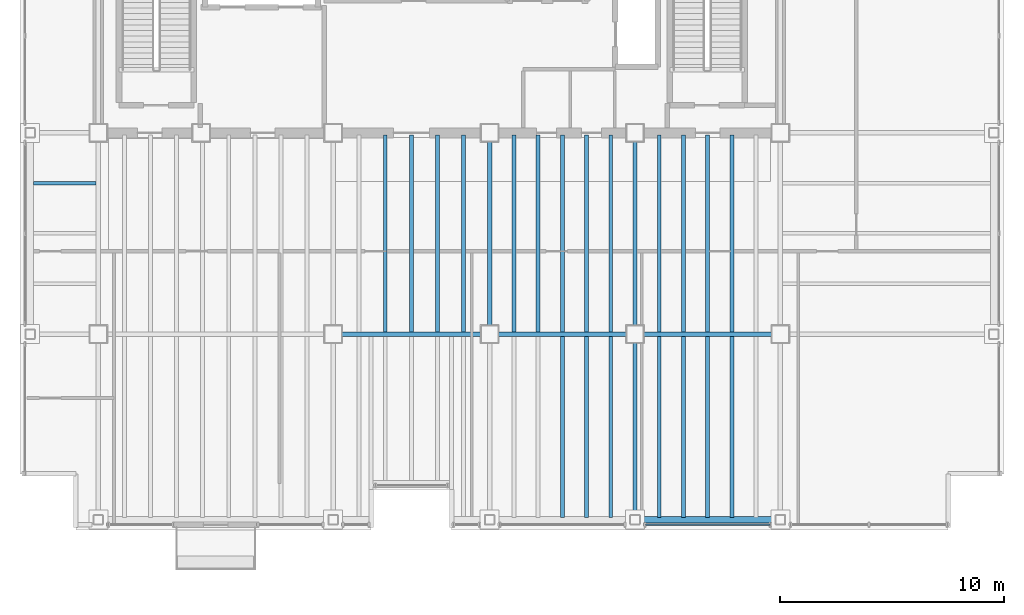
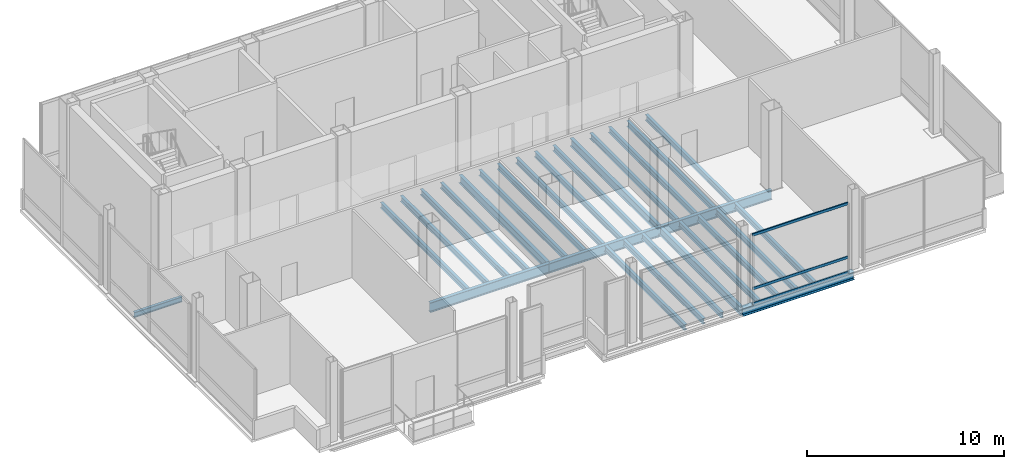
# One storey, part 5 of 15: 28 beams, 3 members, 1 element without a shape of its own.
"""IFC4 building model written with IfcOpenShell, lengths in metres."""

from ifc_helpers import new_model, si_unit, direction, frame, origin, origin_2d, place, context, subcontext, project, spatial, hollow_rectangle, i_section, extrude, material, material_profile, profile_set, type_object, element, aggregate, save


model = new_model("IFC4")

# Units and contexts
model_context = context("Model", 3, precision=1e-05, world=origin(), true_north=direction((0.0, 1.0)))
body_context = subcontext(model_context, "Body", "Model", "MODEL_VIEW")
ifc_project = project(units=[si_unit("LENGTHUNIT", "METRE"), si_unit("AREAUNIT", "SQUARE_METRE"), si_unit("VOLUMEUNIT", "CUBIC_METRE"), si_unit("PLANEANGLEUNIT", "RADIAN"), si_unit("MASSUNIT", "GRAM", prefix="KILO")], contexts=[model_context])

# Site, building, storey
site_placement = place(None, origin())
site = spatial("IfcSite", under=ifc_project, at=site_placement, CompositionType="ELEMENT")
building_placement = place(site_placement, origin())
building = spatial("IfcBuilding", under=site, at=building_placement, Name="Noeulbin Bourse Tower", CompositionType="ELEMENT")
storey_placement = place(building_placement, frame((0.0, 0.0, 206.10009765625)))
storey = spatial("IfcBuildingStorey", under=building, at=storey_placement, Name="L51", CompositionType="ELEMENT", Elevation=206.10009765625)

# Beams
ifc_material_1 = material(Name="Steel S355", Category="steel")
ifc_material_profile_1 = material_profile(ifc_material_1, i_section(OverallWidth=0.199951171875, OverallDepth=0.5, WebThickness=0.010009765625, FlangeThickness=0.01611328125, FilletRadius=0.02001953125, at=origin_2d()), Name="H-500x200x10x16", Category="LoadBearing")
ifc_profile_set_1 = profile_set([ifc_material_profile_1], Name="Steel S355")
beam_type_1 = type_object("IfcBeamType", Name="BM-GRD-500", PredefinedType="USERDEFINED", material=ifc_profile_set_1)
beam_1_placement = place(storey_placement, frame((31.0, 20.0, -0.43017578125), z_axis=(0.0, 1.0, 0.0), x_axis=(-1.0, 0.0, 0.0)))
element("IfcBeam", 1, at=beam_1_placement, inside=storey, type_object=beam_type_1, Name="Tower Primary Girder NS L51-3.2", ObjectType="GIRDER", PredefinedType="USERDEFINED", context=body_context, shape_type="SweptSolid", body=[
    extrude(i_section(OverallWidth=0.199951171875, OverallDepth=0.5, WebThickness=0.010009765625, FlangeThickness=0.01611328125, FilletRadius=0.02001953125, at=origin_2d()), origin(), (0.0, 0.0, 1.0), 9.0),
])
beam_2_placement = place(storey_placement, frame((37.5, 11.699951171875, -0.43017578125), z_axis=(0.0, 1.0, 0.0), x_axis=(-1.0, 0.0, 0.0)))
element("IfcBeam", 2, at=beam_2_placement, inside=storey, type_object=beam_type_1, Name="Tower Primary Girder NS L51-4.1", ObjectType="GIRDER", PredefinedType="USERDEFINED", context=body_context, shape_type="SweptSolid", body=[
    extrude(i_section(OverallWidth=0.199951171875, OverallDepth=0.5, WebThickness=0.010009765625, FlangeThickness=0.01611328125, FilletRadius=0.02001953125, at=origin_2d()), origin(), (0.0, 0.0, 1.0), 8.300048828125),
])
beam_3_placement = place(storey_placement, frame((37.5, 20.0, -0.43017578125), z_axis=(0.0, 1.0, 0.0), x_axis=(-1.0, 0.0, 0.0)))
element("IfcBeam", 3, at=beam_3_placement, inside=storey, type_object=beam_type_1, Name="Tower Primary Girder NS L51-4.2", ObjectType="GIRDER", PredefinedType="USERDEFINED", context=body_context, shape_type="SweptSolid", body=[
    extrude(i_section(OverallWidth=0.199951171875, OverallDepth=0.5, WebThickness=0.010009765625, FlangeThickness=0.01611328125, FilletRadius=0.02001953125, at=origin_2d()), origin(), (0.0, 0.0, 1.0), 9.0),
])
ifc_material_profile_2 = material_profile(ifc_material_1, i_section(OverallWidth=0.199951171875, OverallDepth=0.60009765625, WebThickness=0.010986328125, FlangeThickness=0.01708984375, FilletRadius=0.02197265625, at=origin_2d()), Name="H-600x200x11x17", Category="LoadBearing")
ifc_profile_set_2 = profile_set([ifc_material_profile_2], Name="Steel S355")
beam_type_2 = type_object("IfcBeamType", Name="BM-GRD-600", PredefinedType="USERDEFINED", material=ifc_profile_set_2)
beam_4_placement = place(storey_placement, frame((24.0, 20.0, -0.47998046875), z_axis=(1.0, 0.0, 0.0), x_axis=(0.0, 1.0, 0.0)))
element("IfcBeam", 4, at=beam_4_placement, inside=storey, type_object=beam_type_2, Name="Tower Primary Girder EW L51-1.3", ObjectType="GIRDER", PredefinedType="USERDEFINED", context=body_context, shape_type="SweptSolid", body=[
    extrude(i_section(OverallWidth=0.199951171875, OverallDepth=0.60009765625, WebThickness=0.010986328125, FlangeThickness=0.01708984375, FilletRadius=0.02197265625, at=origin_2d()), origin(), (0.0, 0.0, 1.0), 7.0),
])
for number, where, z_axis, x_axis, name in (
    (5, (31.0, 20.0, -0.47998046875), (1.0, 0.0, 0.0), (0.0, 1.0, 0.0), "Tower Primary Girder EW L51-1.4"),
    (6, (37.5, 20.0, -0.47998046875), (1.0, 0.0, 0.0), (0.0, 1.0, 0.0), "Tower Primary Girder EW L51-1.5"),
):
    element("IfcBeam", number, at=place(storey_placement, frame(where, z_axis=z_axis, x_axis=x_axis)), inside=storey, type_object=beam_type_2, Name=name, ObjectType="GIRDER", PredefinedType="USERDEFINED", context=body_context, shape_type="SweptSolid", body=[
        extrude(i_section(OverallWidth=0.199951171875, OverallDepth=0.60009765625, WebThickness=0.010986328125, FlangeThickness=0.01708984375, FilletRadius=0.02197265625, at=origin_2d()), origin(), (0.0, 0.0, 1.0), 6.5),
    ])
ifc_material_profile_3 = material_profile(ifc_material_1, i_section(OverallWidth=0.159912109375, OverallDepth=0.320068359375, WebThickness=0.006591796875, FlangeThickness=0.010009765625, FilletRadius=0.012939453125, at=origin_2d()), Name="H-320x160x6.5x10", Category="LoadBearing")
ifc_profile_set_3 = profile_set([ifc_material_profile_3], Name="Steel S355")
beam_type_3 = type_object("IfcBeamType", Name="BM-JST-320", PredefinedType="JOIST", material=ifc_profile_set_3)
beam_5_placement = place(storey_placement, frame((10.60009765625, 26.75, -0.340087890625), z_axis=(1.0, 0.0, 0.0), x_axis=(0.0, 1.0, 0.0)))
element("IfcBeam", 7, at=beam_5_placement, inside=storey, type_object=beam_type_3, Name="Wing Composite Joist L51-W49", PredefinedType="JOIST", context=body_context, shape_type="SweptSolid", body=[
    extrude(i_section(OverallWidth=0.159912109375, OverallDepth=0.320068359375, WebThickness=0.006591796875, FlangeThickness=0.010009765625, FilletRadius=0.012939453125, at=origin_2d()), origin(), (0.0, 0.0, 1.0), 2.7998046875),
])
ifc_material_profile_4 = material_profile(ifc_material_1, i_section(OverallWidth=0.175048828125, OverallDepth=0.35009765625, WebThickness=0.007080078125, FlangeThickness=0.010986328125, FilletRadius=0.013916015625, at=origin_2d()), Name="H-350x175x7x11", Category="LoadBearing")
ifc_profile_set_4 = profile_set([ifc_material_profile_4], Name="Steel S355")
beam_type_4 = type_object("IfcBeamType", Name="BM-JST-350", PredefinedType="JOIST", material=ifc_profile_set_4)
for number, where, z_axis, x_axis, name in (
    (8, (26.333251953125, 20.10009765625, -0.35498046875), (0.0, 1.0, 0.0), (-1.0, 0.0, 0.0), "Tower Composite Joist L51-20"),
    (9, (27.5, 20.10009765625, -0.35498046875), (0.0, 1.0, 0.0), (-1.0, 0.0, 0.0), "Tower Composite Joist L51-22"),
    (10, (28.666748046875, 20.10009765625, -0.35498046875), (0.0, 1.0, 0.0), (-1.0, 0.0, 0.0), "Tower Composite Joist L51-24"),
    (11, (29.833251953125, 20.10009765625, -0.35498046875), (0.0, 1.0, 0.0), (-1.0, 0.0, 0.0), "Tower Composite Joist L51-26"),
    (12, (32.083251953125, 20.10009765625, -0.35498046875), (0.0, 1.0, 0.0), (-1.0, 0.0, 0.0), "Tower Composite Joist L51-28"),
    (13, (33.166748046875, 20.10009765625, -0.35498046875), (0.0, 1.0, 0.0), (-1.0, 0.0, 0.0), "Tower Composite Joist L51-30"),
):
    element("IfcBeam", number, at=place(storey_placement, frame(where, z_axis=z_axis, x_axis=x_axis)), inside=storey, type_object=beam_type_4, Name=name, PredefinedType="JOIST", context=body_context, shape_type="SweptSolid", body=[
        extrude(i_section(OverallWidth=0.175048828125, OverallDepth=0.35009765625, WebThickness=0.007080078125, FlangeThickness=0.010986328125, FilletRadius=0.013916015625, at=origin_2d()), origin(), (0.0, 0.0, 1.0), 8.7998046875),
    ])
beam_6_placement = place(storey_placement, frame((34.25, 11.800048828125, -0.35498046875), z_axis=(0.0, 1.0, 0.0), x_axis=(-1.0, 0.0, 0.0)))
element("IfcBeam", 14, at=beam_6_placement, inside=storey, type_object=beam_type_4, Name="Tower Composite Joist L51-31", PredefinedType="JOIST", context=body_context, shape_type="SweptSolid", body=[
    extrude(i_section(OverallWidth=0.175048828125, OverallDepth=0.35009765625, WebThickness=0.007080078125, FlangeThickness=0.010986328125, FilletRadius=0.013916015625, at=origin_2d()), origin(), (0.0, 0.0, 1.0), 8.099853515625),
])
beam_7_placement = place(storey_placement, frame((34.25, 20.10009765625, -0.35498046875), z_axis=(0.0, 1.0, 0.0), x_axis=(-1.0, 0.0, 0.0)))
element("IfcBeam", 15, at=beam_7_placement, inside=storey, type_object=beam_type_4, Name="Tower Composite Joist L51-32", PredefinedType="JOIST", context=body_context, shape_type="SweptSolid", body=[
    extrude(i_section(OverallWidth=0.175048828125, OverallDepth=0.35009765625, WebThickness=0.007080078125, FlangeThickness=0.010986328125, FilletRadius=0.013916015625, at=origin_2d()), origin(), (0.0, 0.0, 1.0), 8.7998046875),
])
beam_8_placement = place(storey_placement, frame((35.333251953125, 11.800048828125, -0.35498046875), z_axis=(0.0, 1.0, 0.0), x_axis=(-1.0, 0.0, 0.0)))
element("IfcBeam", 16, at=beam_8_placement, inside=storey, type_object=beam_type_4, Name="Tower Composite Joist L51-33", PredefinedType="JOIST", context=body_context, shape_type="SweptSolid", body=[
    extrude(i_section(OverallWidth=0.175048828125, OverallDepth=0.35009765625, WebThickness=0.007080078125, FlangeThickness=0.010986328125, FilletRadius=0.013916015625, at=origin_2d()), origin(), (0.0, 0.0, 1.0), 8.099853515625),
])
beam_9_placement = place(storey_placement, frame((35.333251953125, 20.10009765625, -0.35498046875), z_axis=(0.0, 1.0, 0.0), x_axis=(-1.0, 0.0, 0.0)))
element("IfcBeam", 17, at=beam_9_placement, inside=storey, type_object=beam_type_4, Name="Tower Composite Joist L51-34", PredefinedType="JOIST", context=body_context, shape_type="SweptSolid", body=[
    extrude(i_section(OverallWidth=0.175048828125, OverallDepth=0.35009765625, WebThickness=0.007080078125, FlangeThickness=0.010986328125, FilletRadius=0.013916015625, at=origin_2d()), origin(), (0.0, 0.0, 1.0), 8.7998046875),
])
beam_10_placement = place(storey_placement, frame((36.416748046875, 11.800048828125, -0.35498046875), z_axis=(0.0, 1.0, 0.0), x_axis=(-1.0, 0.0, 0.0)))
element("IfcBeam", 18, at=beam_10_placement, inside=storey, type_object=beam_type_4, Name="Tower Composite Joist L51-35", PredefinedType="JOIST", context=body_context, shape_type="SweptSolid", body=[
    extrude(i_section(OverallWidth=0.175048828125, OverallDepth=0.35009765625, WebThickness=0.007080078125, FlangeThickness=0.010986328125, FilletRadius=0.013916015625, at=origin_2d()), origin(), (0.0, 0.0, 1.0), 8.099853515625),
])
beam_11_placement = place(storey_placement, frame((36.416748046875, 20.10009765625, -0.35498046875), z_axis=(0.0, 1.0, 0.0), x_axis=(-1.0, 0.0, 0.0)))
element("IfcBeam", 19, at=beam_11_placement, inside=storey, type_object=beam_type_4, Name="Tower Composite Joist L51-36", PredefinedType="JOIST", context=body_context, shape_type="SweptSolid", body=[
    extrude(i_section(OverallWidth=0.175048828125, OverallDepth=0.35009765625, WebThickness=0.007080078125, FlangeThickness=0.010986328125, FilletRadius=0.013916015625, at=origin_2d()), origin(), (0.0, 0.0, 1.0), 8.7998046875),
])
beam_12_placement = place(storey_placement, frame((38.583251953125, 11.800048828125, -0.35498046875), z_axis=(0.0, 1.0, 0.0), x_axis=(-1.0, 0.0, 0.0)))
element("IfcBeam", 20, at=beam_12_placement, inside=storey, type_object=beam_type_4, Name="Tower Composite Joist L51-37", PredefinedType="JOIST", context=body_context, shape_type="SweptSolid", body=[
    extrude(i_section(OverallWidth=0.175048828125, OverallDepth=0.35009765625, WebThickness=0.007080078125, FlangeThickness=0.010986328125, FilletRadius=0.013916015625, at=origin_2d()), origin(), (0.0, 0.0, 1.0), 8.099853515625),
])
beam_13_placement = place(storey_placement, frame((38.583251953125, 20.10009765625, -0.35498046875), z_axis=(0.0, 1.0, 0.0), x_axis=(-1.0, 0.0, 0.0)))
element("IfcBeam", 21, at=beam_13_placement, inside=storey, type_object=beam_type_4, Name="Tower Composite Joist L51-38", PredefinedType="JOIST", context=body_context, shape_type="SweptSolid", body=[
    extrude(i_section(OverallWidth=0.175048828125, OverallDepth=0.35009765625, WebThickness=0.007080078125, FlangeThickness=0.010986328125, FilletRadius=0.013916015625, at=origin_2d()), origin(), (0.0, 0.0, 1.0), 8.7998046875),
])
beam_14_placement = place(storey_placement, frame((39.666748046875, 11.800048828125, -0.35498046875), z_axis=(0.0, 1.0, 0.0), x_axis=(-1.0, 0.0, 0.0)))
element("IfcBeam", 22, at=beam_14_placement, inside=storey, type_object=beam_type_4, Name="Tower Composite Joist L51-39", PredefinedType="JOIST", context=body_context, shape_type="SweptSolid", body=[
    extrude(i_section(OverallWidth=0.175048828125, OverallDepth=0.35009765625, WebThickness=0.007080078125, FlangeThickness=0.010986328125, FilletRadius=0.013916015625, at=origin_2d()), origin(), (0.0, 0.0, 1.0), 8.099853515625),
])
beam_15_placement = place(storey_placement, frame((39.666748046875, 20.10009765625, -0.35498046875), z_axis=(0.0, 1.0, 0.0), x_axis=(-1.0, 0.0, 0.0)))
element("IfcBeam", 23, at=beam_15_placement, inside=storey, type_object=beam_type_4, Name="Tower Composite Joist L51-40", PredefinedType="JOIST", context=body_context, shape_type="SweptSolid", body=[
    extrude(i_section(OverallWidth=0.175048828125, OverallDepth=0.35009765625, WebThickness=0.007080078125, FlangeThickness=0.010986328125, FilletRadius=0.013916015625, at=origin_2d()), origin(), (0.0, 0.0, 1.0), 8.7998046875),
])
beam_16_placement = place(storey_placement, frame((40.75, 11.800048828125, -0.35498046875), z_axis=(0.0, 1.0, 0.0), x_axis=(-1.0, 0.0, 0.0)))
element("IfcBeam", 24, at=beam_16_placement, inside=storey, type_object=beam_type_4, Name="Tower Composite Joist L51-41", PredefinedType="JOIST", context=body_context, shape_type="SweptSolid", body=[
    extrude(i_section(OverallWidth=0.175048828125, OverallDepth=0.35009765625, WebThickness=0.007080078125, FlangeThickness=0.010986328125, FilletRadius=0.013916015625, at=origin_2d()), origin(), (0.0, 0.0, 1.0), 8.099853515625),
])
beam_17_placement = place(storey_placement, frame((40.75, 20.10009765625, -0.35498046875), z_axis=(0.0, 1.0, 0.0), x_axis=(-1.0, 0.0, 0.0)))
element("IfcBeam", 25, at=beam_17_placement, inside=storey, type_object=beam_type_4, Name="Tower Composite Joist L51-42", PredefinedType="JOIST", context=body_context, shape_type="SweptSolid", body=[
    extrude(i_section(OverallWidth=0.175048828125, OverallDepth=0.35009765625, WebThickness=0.007080078125, FlangeThickness=0.010986328125, FilletRadius=0.013916015625, at=origin_2d()), origin(), (0.0, 0.0, 1.0), 8.7998046875),
])
beam_18_placement = place(storey_placement, frame((41.833251953125, 11.800048828125, -0.35498046875), z_axis=(0.0, 1.0, 0.0), x_axis=(-1.0, 0.0, 0.0)))
element("IfcBeam", 26, at=beam_18_placement, inside=storey, type_object=beam_type_4, Name="Tower Composite Joist L51-43", PredefinedType="JOIST", context=body_context, shape_type="SweptSolid", body=[
    extrude(i_section(OverallWidth=0.175048828125, OverallDepth=0.35009765625, WebThickness=0.007080078125, FlangeThickness=0.010986328125, FilletRadius=0.013916015625, at=origin_2d()), origin(), (0.0, 0.0, 1.0), 8.099853515625),
])
beam_19_placement = place(storey_placement, frame((41.833251953125, 20.10009765625, -0.35498046875), z_axis=(0.0, 1.0, 0.0), x_axis=(-1.0, 0.0, 0.0)))
element("IfcBeam", 27, at=beam_19_placement, inside=storey, type_object=beam_type_4, Name="Tower Composite Joist L51-44", PredefinedType="JOIST", context=body_context, shape_type="SweptSolid", body=[
    extrude(i_section(OverallWidth=0.175048828125, OverallDepth=0.35009765625, WebThickness=0.007080078125, FlangeThickness=0.010986328125, FilletRadius=0.013916015625, at=origin_2d()), origin(), (0.0, 0.0, 1.0), 8.7998046875),
])
ifc_material_profile_5 = material_profile(ifc_material_1, i_section(OverallWidth=0.300048828125, OverallDepth=0.488037109375, WebThickness=0.010986328125, FlangeThickness=0.01806640625, FilletRadius=0.02197265625, at=origin_2d()), Name="H-488x300x11x18", Category="LoadBearing")
ifc_profile_set_5 = profile_set([ifc_material_profile_5], Name="Steel S355")
beam_type_5 = type_object("IfcBeamType", Name="BM-SPN-488", PredefinedType="SPANDREL", material=ifc_profile_set_5)
beam_20_placement = place(storey_placement, frame((37.5, 11.699951171875, -0.424072265625), z_axis=(1.0, 0.0, 0.0), x_axis=(0.0, 1.0, 0.0)))
element("IfcBeam", 28, at=beam_20_placement, inside=storey, type_object=beam_type_5, Name="South Spandrel L51-4", PredefinedType="SPANDREL", context=body_context, shape_type="SweptSolid", body=[
    extrude(i_section(OverallWidth=0.300048828125, OverallDepth=0.488037109375, WebThickness=0.010986328125, FlangeThickness=0.01806640625, FilletRadius=0.02197265625, at=origin_2d()), origin(), (0.0, 0.0, 1.0), 6.5),
])

# Curtain wall, members
ifc_material_2 = material(Name="High-Selectivity Low-Iron Glazing", Category="glass")
curtain_wall_type = type_object("IfcCurtainWallType", Name="CW-SYS-4", PredefinedType="NOTDEFINED", material=ifc_material_2)
curtain_wall_placement = place(storey_placement, origin())
curtain_wall = element("IfcCurtainWall", 29, at=curtain_wall_placement, inside=storey, type_object=curtain_wall_type, Name="Unitised Curtain Wall CW-L51-S3-S3", PredefinedType="NOTDEFINED")
ifc_material_3 = material(Name="Anodised Aluminium 6063-T6", Category="aluminium")
ifc_material_profile_6 = material_profile(ifc_material_3, hollow_rectangle(XDim=0.074951171875, YDim=0.159912109375, WallThickness=0.0048828125, InnerFilletRadius=0.00244140625, OuterFilletRadius=0.0048828125, at=origin_2d()), Name="ALU-TRAN-75x160x5", Category="LoadBearing")
ifc_profile_set_6 = profile_set([ifc_material_profile_6], Name="Anodised Aluminium 6063-T6")
member_type = type_object("IfcMemberType", Name="CW-SYS-4-TRN", PredefinedType="USERDEFINED", material=ifc_profile_set_6)
member_1_placement = place(storey_placement, frame((37.9599609375, 11.469970703125, 0.010009765625), z_axis=(1.0, 0.0, 0.0), x_axis=(0.0, 1.0, 0.0)))
member_1 = element("IfcMember", 30, at=member_1_placement, type_object=member_type, Name="Curtain Wall Transom CW-L51-S3-S3-T00", ObjectType="TRANSOM", PredefinedType="USERDEFINED", context=body_context, shape_type="SweptSolid", body=[
    extrude(hollow_rectangle(XDim=0.074951171875, YDim=0.159912109375, WallThickness=0.0048828125, InnerFilletRadius=0.00244140625, OuterFilletRadius=0.0048828125, at=origin_2d()), origin(), (0.0, 0.0, 1.0), 5.580078125),
])
member_2_placement = place(storey_placement, frame((37.9599609375, 11.469970703125, 0.949951171875), z_axis=(1.0, 0.0, 0.0), x_axis=(0.0, 1.0, 0.0)))
member_2 = element("IfcMember", 31, at=member_2_placement, type_object=member_type, Name="Curtain Wall Transom CW-L51-S3-S3-T01", ObjectType="TRANSOM", PredefinedType="USERDEFINED", context=body_context, shape_type="SweptSolid", body=[
    extrude(hollow_rectangle(XDim=0.074951171875, YDim=0.159912109375, WallThickness=0.0048828125, InnerFilletRadius=0.00244140625, OuterFilletRadius=0.0048828125, at=origin_2d()), origin(), (0.0, 0.0, 1.0), 5.580078125),
])
member_3_placement = place(storey_placement, frame((37.9599609375, 11.469970703125, 4.27001953125), z_axis=(1.0, 0.0, 0.0), x_axis=(0.0, 1.0, 0.0)))
member_3 = element("IfcMember", 32, at=member_3_placement, type_object=member_type, Name="Curtain Wall Transom CW-L51-S3-S3-T02", ObjectType="TRANSOM", PredefinedType="USERDEFINED", context=body_context, shape_type="SweptSolid", body=[
    extrude(hollow_rectangle(XDim=0.074951171875, YDim=0.159912109375, WallThickness=0.0048828125, InnerFilletRadius=0.00244140625, OuterFilletRadius=0.0048828125, at=origin_2d()), origin(), (0.0, 0.0, 1.0), 5.580078125),
])
aggregate(curtain_wall, [member_1, member_2, member_3])

save(model, "model.ifc")
